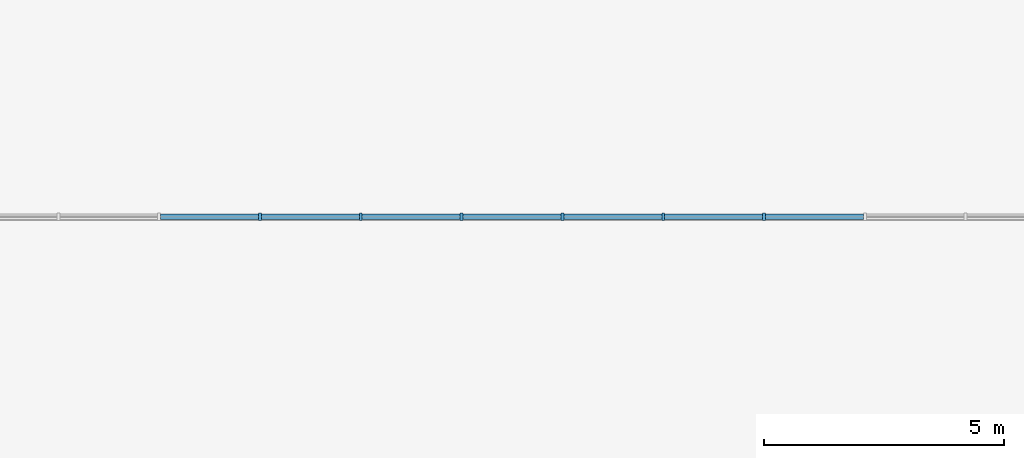
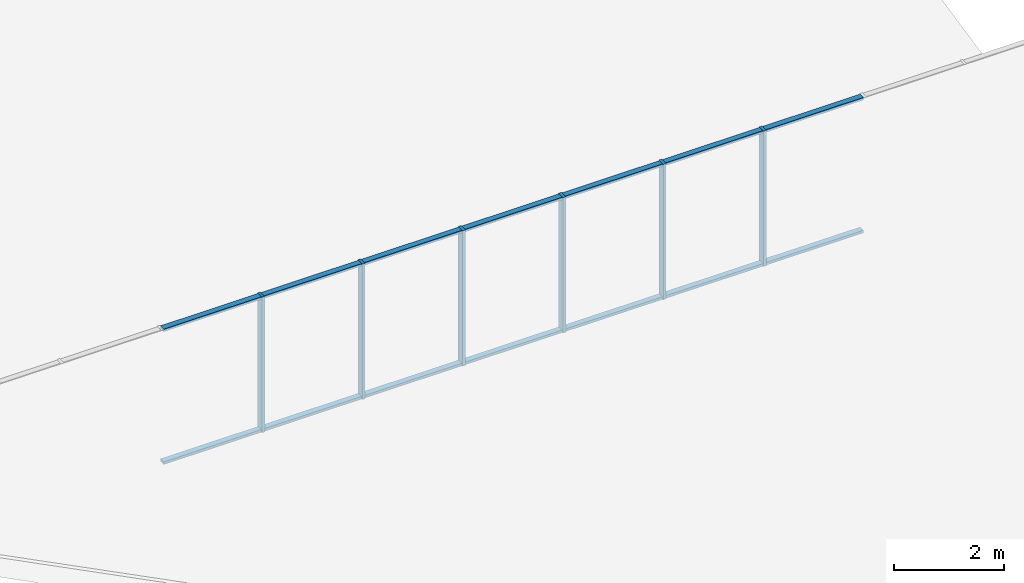
# One storey, part 37 of 137: 20 members, 1 element without a shape of its own.
"""IFC4 building model written with IfcOpenShell, lengths in metres."""

from ifc_helpers import new_model, si_unit, direction, frame, origin, origin_2d, place, context, subcontext, project, spatial, rectangle, extrude, material, material_profile, profile_set, type_object, element, aggregate, save


model = new_model("IFC4")

# Units and contexts
model_context = context("Model", 3, precision=1e-05, world=origin(), true_north=direction((0.0, 1.0)))
body_context = subcontext(model_context, "Body", "Model", "MODEL_VIEW")
ifc_project = project(units=[si_unit("LENGTHUNIT", "METRE"), si_unit("AREAUNIT", "SQUARE_METRE"), si_unit("VOLUMEUNIT", "CUBIC_METRE"), si_unit("PLANEANGLEUNIT", "RADIAN"), si_unit("MASSUNIT", "GRAM", prefix="KILO")], contexts=[model_context])

# Site, building, storey
site_placement = place(None, origin())
site = spatial("IfcSite", under=ifc_project, at=site_placement, CompositionType="ELEMENT")
building_placement = place(site_placement, origin())
building = spatial("IfcBuilding", under=site, at=building_placement, Name="Bougainvillea Quay General Hospital", CompositionType="ELEMENT")
storey_placement = place(building_placement, frame((0.0, 0.0, 16.800048828125)))
storey = spatial("IfcBuildingStorey", under=building, at=storey_placement, Name="L03", CompositionType="ELEMENT", Elevation=16.800048828125)

# Curtain wall, members
ifc_material_1 = material(Name="Aluminium curtain wall system, powder-coated glazed", Category="aluminium")
curtain_wall_type = type_object("IfcCurtainWallType", Name="Unitised curtain wall CW-2100", PredefinedType="NOTDEFINED", material=ifc_material_1)
curtain_wall_placement = place(storey_placement, origin())
curtain_wall = element("IfcCurtainWall", 1, at=curtain_wall_placement, inside=storey, type_object=curtain_wall_type, Name="ST-G2 GL1", PredefinedType="NOTDEFINED")
ifc_material_2 = material(Name="Aluminium mullion, powder-coated charcoal", Category="aluminium")
ifc_material_profile_1 = material_profile(ifc_material_2, rectangle(XDim=0.159912109375, YDim=0.06005859375, at=origin_2d()))
ifc_profile_set_1 = profile_set([ifc_material_profile_1], Name="Aluminium mullion, powder-coated charcoal")
member_type_1 = type_object("IfcMemberType", Name="Curtain wall mullion 160x60", PredefinedType="MULLION", material=ifc_profile_set_1)
member_1_placement = place(storey_placement, frame((189.0, 103.679931640625, 0.0), z_axis=(0.0, 0.0, 1.0), x_axis=(0.0, 1.0, 0.0)))
member_1 = element("IfcMember", 2, at=member_1_placement, type_object=member_type_1, Name="ST-G2 mullion 13", PredefinedType="MULLION", context=body_context, shape_type="SweptSolid", body=[
    extrude(rectangle(XDim=0.159912109375, YDim=0.06005859375, at=origin_2d()), origin(), (0.0, 0.0, 1.0), 3.0),
])
member_2_placement = place(storey_placement, frame((191.10009765625, 103.679931640625, 0.0), z_axis=(0.0, 0.0, 1.0), x_axis=(0.0, 1.0, 0.0)))
member_2 = element("IfcMember", 3, at=member_2_placement, type_object=member_type_1, Name="ST-G2 mullion 14", PredefinedType="MULLION", context=body_context, shape_type="SweptSolid", body=[
    extrude(rectangle(XDim=0.159912109375, YDim=0.06005859375, at=origin_2d()), origin(), (0.0, 0.0, 1.0), 3.0),
])
member_3_placement = place(storey_placement, frame((193.199951171875, 103.679931640625, 0.0), z_axis=(0.0, 0.0, 1.0), x_axis=(0.0, 1.0, 0.0)))
member_3 = element("IfcMember", 4, at=member_3_placement, type_object=member_type_1, Name="ST-G2 mullion 15", PredefinedType="MULLION", context=body_context, shape_type="SweptSolid", body=[
    extrude(rectangle(XDim=0.159912109375, YDim=0.06005859375, at=origin_2d()), origin(), (0.0, 0.0, 1.0), 3.0),
])
member_4_placement = place(storey_placement, frame((195.300048828125, 103.679931640625, 0.0), z_axis=(0.0, 0.0, 1.0), x_axis=(0.0, 1.0, 0.0)))
member_4 = element("IfcMember", 5, at=member_4_placement, type_object=member_type_1, Name="ST-G2 mullion 16", PredefinedType="MULLION", context=body_context, shape_type="SweptSolid", body=[
    extrude(rectangle(XDim=0.159912109375, YDim=0.06005859375, at=origin_2d()), origin(), (0.0, 0.0, 1.0), 3.0),
])
member_5_placement = place(storey_placement, frame((197.39990234375, 103.679931640625, 0.0), z_axis=(0.0, 0.0, 1.0), x_axis=(0.0, 1.0, 0.0)))
member_5 = element("IfcMember", 6, at=member_5_placement, type_object=member_type_1, Name="ST-G2 mullion 17", PredefinedType="MULLION", context=body_context, shape_type="SweptSolid", body=[
    extrude(rectangle(XDim=0.159912109375, YDim=0.06005859375, at=origin_2d()), origin(), (0.0, 0.0, 1.0), 3.0),
])
member_6_placement = place(storey_placement, frame((199.5, 103.679931640625, 0.0), z_axis=(0.0, 0.0, 1.0), x_axis=(0.0, 1.0, 0.0)))
member_6 = element("IfcMember", 7, at=member_6_placement, type_object=member_type_1, Name="ST-G2 mullion 18", PredefinedType="MULLION", context=body_context, shape_type="SweptSolid", body=[
    extrude(rectangle(XDim=0.159912109375, YDim=0.06005859375, at=origin_2d()), origin(), (0.0, 0.0, 1.0), 3.0),
])
ifc_material_3 = material(Name="Aluminium transom, powder-coated charcoal", Category="aluminium")
ifc_material_profile_2 = material_profile(ifc_material_3, rectangle(XDim=0.1201171875, YDim=0.06005859375, at=origin_2d()))
ifc_profile_set_2 = profile_set([ifc_material_profile_2], Name="Aluminium transom, powder-coated charcoal")
member_type_2 = type_object("IfcMemberType", Name="Curtain wall transom 120x60", PredefinedType="USERDEFINED", material=ifc_profile_set_2)
member_7_placement = place(storey_placement, frame((186.929931640625, 103.679931640625, 0.030029296875), z_axis=(1.0, 0.0, 0.0), x_axis=(0.0, 1.0, 0.0)))
member_7 = element("IfcMember", 8, at=member_7_placement, type_object=member_type_2, Name="ST-G2 transom 12.1", ObjectType="TRANSOM", PredefinedType="USERDEFINED", context=body_context, shape_type="SweptSolid", body=[
    extrude(rectangle(XDim=0.1201171875, YDim=0.06005859375, at=origin_2d()), origin(), (0.0, 0.0, 1.0), 2.0400390625),
])
member_8_placement = place(storey_placement, frame((186.929931640625, 103.679931640625, 2.969970703125), z_axis=(1.0, 0.0, 0.0), x_axis=(0.0, 1.0, 0.0)))
member_8 = element("IfcMember", 9, at=member_8_placement, type_object=member_type_2, Name="ST-G2 transom 12.2", ObjectType="TRANSOM", PredefinedType="USERDEFINED", context=body_context, shape_type="SweptSolid", body=[
    extrude(rectangle(XDim=0.1201171875, YDim=0.06005859375, at=origin_2d()), origin(), (0.0, 0.0, 1.0), 2.0400390625),
])
member_9_placement = place(storey_placement, frame((189.030029296875, 103.679931640625, 0.030029296875), z_axis=(1.0, 0.0, 0.0), x_axis=(0.0, 1.0, 0.0)))
member_9 = element("IfcMember", 10, at=member_9_placement, type_object=member_type_2, Name="ST-G2 transom 13.1", ObjectType="TRANSOM", PredefinedType="USERDEFINED", context=body_context, shape_type="SweptSolid", body=[
    extrude(rectangle(XDim=0.1201171875, YDim=0.06005859375, at=origin_2d()), origin(), (0.0, 0.0, 1.0), 2.0400390625),
])
member_10_placement = place(storey_placement, frame((189.030029296875, 103.679931640625, 2.969970703125), z_axis=(1.0, 0.0, 0.0), x_axis=(0.0, 1.0, 0.0)))
member_10 = element("IfcMember", 11, at=member_10_placement, type_object=member_type_2, Name="ST-G2 transom 13.2", ObjectType="TRANSOM", PredefinedType="USERDEFINED", context=body_context, shape_type="SweptSolid", body=[
    extrude(rectangle(XDim=0.1201171875, YDim=0.06005859375, at=origin_2d()), origin(), (0.0, 0.0, 1.0), 2.0400390625),
])
member_11_placement = place(storey_placement, frame((191.1298828125, 103.679931640625, 0.030029296875), z_axis=(1.0, 0.0, 0.0), x_axis=(0.0, 1.0, 0.0)))
member_11 = element("IfcMember", 12, at=member_11_placement, type_object=member_type_2, Name="ST-G2 transom 14.1", ObjectType="TRANSOM", PredefinedType="USERDEFINED", context=body_context, shape_type="SweptSolid", body=[
    extrude(rectangle(XDim=0.1201171875, YDim=0.06005859375, at=origin_2d()), origin(), (0.0, 0.0, 1.0), 2.0400390625),
])
member_12_placement = place(storey_placement, frame((191.1298828125, 103.679931640625, 2.969970703125), z_axis=(1.0, 0.0, 0.0), x_axis=(0.0, 1.0, 0.0)))
member_12 = element("IfcMember", 13, at=member_12_placement, type_object=member_type_2, Name="ST-G2 transom 14.2", ObjectType="TRANSOM", PredefinedType="USERDEFINED", context=body_context, shape_type="SweptSolid", body=[
    extrude(rectangle(XDim=0.1201171875, YDim=0.06005859375, at=origin_2d()), origin(), (0.0, 0.0, 1.0), 2.0400390625),
])
member_13_placement = place(storey_placement, frame((193.22998046875, 103.679931640625, 0.030029296875), z_axis=(1.0, 0.0, 0.0), x_axis=(0.0, 1.0, 0.0)))
member_13 = element("IfcMember", 14, at=member_13_placement, type_object=member_type_2, Name="ST-G2 transom 15.1", ObjectType="TRANSOM", PredefinedType="USERDEFINED", context=body_context, shape_type="SweptSolid", body=[
    extrude(rectangle(XDim=0.1201171875, YDim=0.06005859375, at=origin_2d()), origin(), (0.0, 0.0, 1.0), 2.0400390625),
])
member_14_placement = place(storey_placement, frame((193.22998046875, 103.679931640625, 2.969970703125), z_axis=(1.0, 0.0, 0.0), x_axis=(0.0, 1.0, 0.0)))
member_14 = element("IfcMember", 15, at=member_14_placement, type_object=member_type_2, Name="ST-G2 transom 15.2", ObjectType="TRANSOM", PredefinedType="USERDEFINED", context=body_context, shape_type="SweptSolid", body=[
    extrude(rectangle(XDim=0.1201171875, YDim=0.06005859375, at=origin_2d()), origin(), (0.0, 0.0, 1.0), 2.0400390625),
])
member_15_placement = place(storey_placement, frame((195.330078125, 103.679931640625, 0.030029296875), z_axis=(1.0, 0.0, 0.0), x_axis=(0.0, 1.0, 0.0)))
member_15 = element("IfcMember", 16, at=member_15_placement, type_object=member_type_2, Name="ST-G2 transom 16.1", ObjectType="TRANSOM", PredefinedType="USERDEFINED", context=body_context, shape_type="SweptSolid", body=[
    extrude(rectangle(XDim=0.1201171875, YDim=0.06005859375, at=origin_2d()), origin(), (0.0, 0.0, 1.0), 2.0400390625),
])
member_16_placement = place(storey_placement, frame((195.330078125, 103.679931640625, 2.969970703125), z_axis=(1.0, 0.0, 0.0), x_axis=(0.0, 1.0, 0.0)))
member_16 = element("IfcMember", 17, at=member_16_placement, type_object=member_type_2, Name="ST-G2 transom 16.2", ObjectType="TRANSOM", PredefinedType="USERDEFINED", context=body_context, shape_type="SweptSolid", body=[
    extrude(rectangle(XDim=0.1201171875, YDim=0.06005859375, at=origin_2d()), origin(), (0.0, 0.0, 1.0), 2.0400390625),
])
member_17_placement = place(storey_placement, frame((197.429931640625, 103.679931640625, 0.030029296875), z_axis=(1.0, 0.0, 0.0), x_axis=(0.0, 1.0, 0.0)))
member_17 = element("IfcMember", 18, at=member_17_placement, type_object=member_type_2, Name="ST-G2 transom 17.1", ObjectType="TRANSOM", PredefinedType="USERDEFINED", context=body_context, shape_type="SweptSolid", body=[
    extrude(rectangle(XDim=0.1201171875, YDim=0.06005859375, at=origin_2d()), origin(), (0.0, 0.0, 1.0), 2.0400390625),
])
member_18_placement = place(storey_placement, frame((197.429931640625, 103.679931640625, 2.969970703125), z_axis=(1.0, 0.0, 0.0), x_axis=(0.0, 1.0, 0.0)))
member_18 = element("IfcMember", 19, at=member_18_placement, type_object=member_type_2, Name="ST-G2 transom 17.2", ObjectType="TRANSOM", PredefinedType="USERDEFINED", context=body_context, shape_type="SweptSolid", body=[
    extrude(rectangle(XDim=0.1201171875, YDim=0.06005859375, at=origin_2d()), origin(), (0.0, 0.0, 1.0), 2.0400390625),
])
member_19_placement = place(storey_placement, frame((199.530029296875, 103.679931640625, 0.030029296875), z_axis=(1.0, 0.0, 0.0), x_axis=(0.0, 1.0, 0.0)))
member_19 = element("IfcMember", 20, at=member_19_placement, type_object=member_type_2, Name="ST-G2 transom 18.1", ObjectType="TRANSOM", PredefinedType="USERDEFINED", context=body_context, shape_type="SweptSolid", body=[
    extrude(rectangle(XDim=0.1201171875, YDim=0.06005859375, at=origin_2d()), origin(), (0.0, 0.0, 1.0), 2.0400390625),
])
member_20_placement = place(storey_placement, frame((199.530029296875, 103.679931640625, 2.969970703125), z_axis=(1.0, 0.0, 0.0), x_axis=(0.0, 1.0, 0.0)))
member_20 = element("IfcMember", 21, at=member_20_placement, type_object=member_type_2, Name="ST-G2 transom 18.2", ObjectType="TRANSOM", PredefinedType="USERDEFINED", context=body_context, shape_type="SweptSolid", body=[
    extrude(rectangle(XDim=0.1201171875, YDim=0.06005859375, at=origin_2d()), origin(), (0.0, 0.0, 1.0), 2.0400390625),
])
aggregate(curtain_wall, [member_1, member_2, member_3, member_4, member_5, member_6, member_7, member_8, member_9, member_10, member_11, member_12, member_13, member_14, member_15, member_16, member_17, member_18, member_19, member_20])

save(model, "model.ifc")
